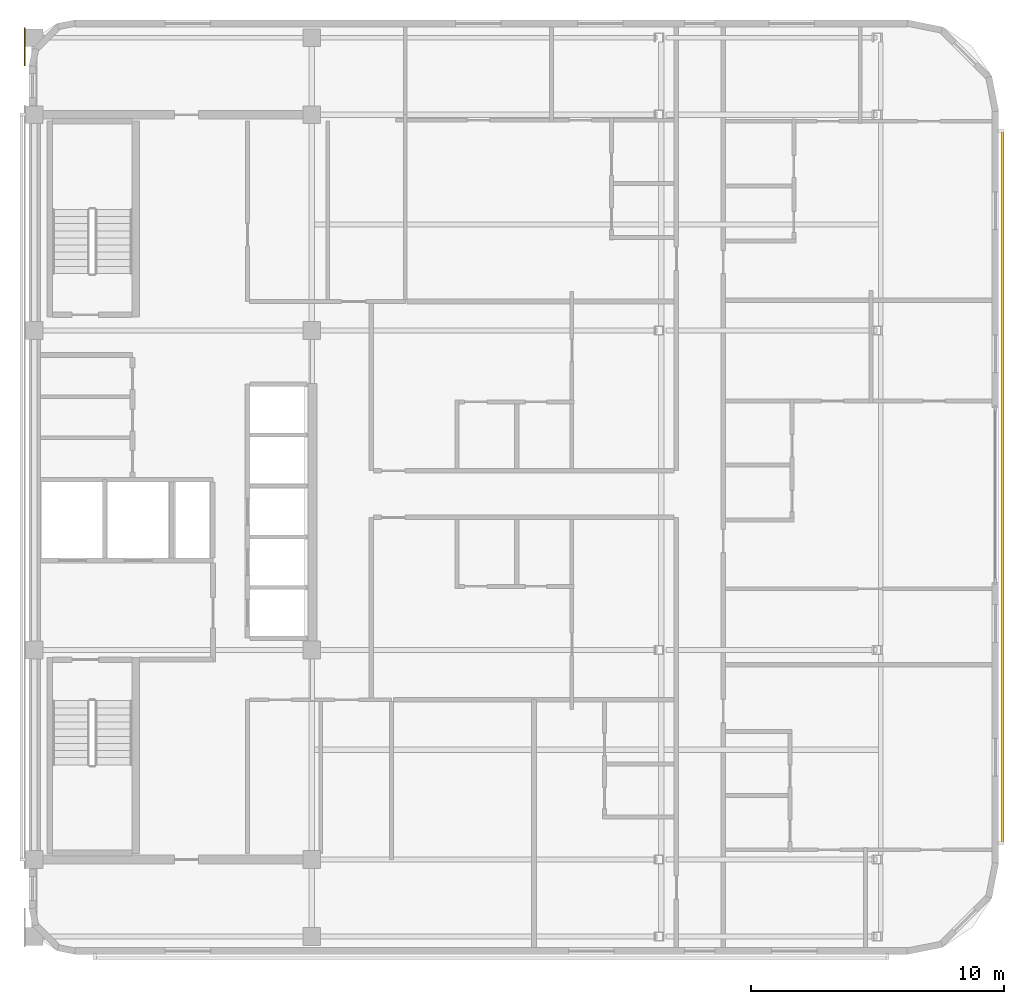
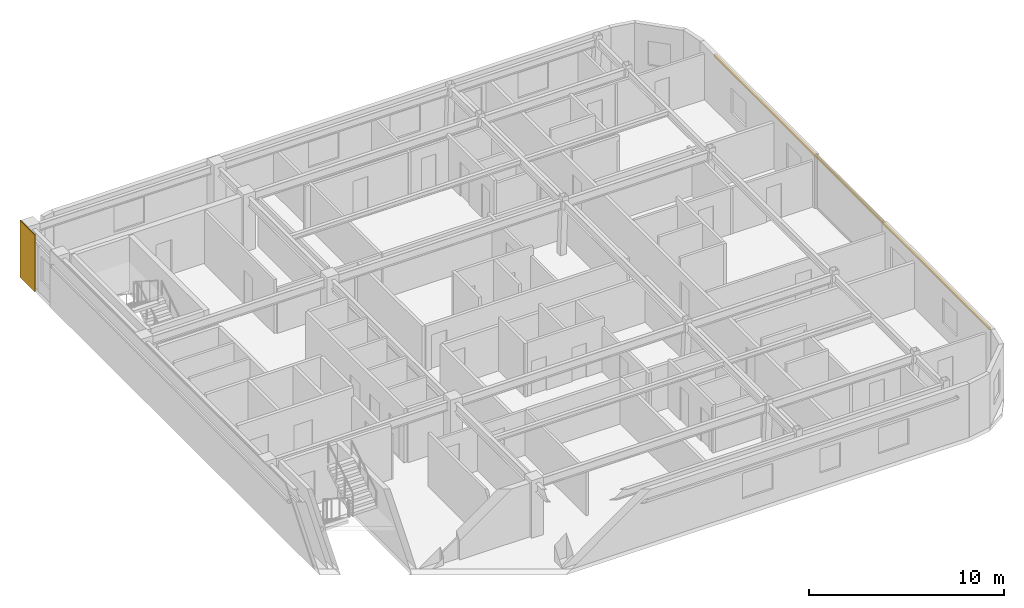
# One storey, part 10 of 10: 1 covering, 1 shading device.
"""IFC4 building model written with IfcOpenShell, lengths in metres."""

from ifc_helpers import new_model, si_unit, direction, frame, origin, origin_2d, place, context, subcontext, project, spatial, rectangle, extrude, material, layer, layer_set, material_profile, profile_set, type_object, element, save


model = new_model("IFC4")

# Units and contexts
model_context = context("Model", 3, precision=1e-05, world=origin(), true_north=direction((0.0, 1.0)))
body_context = subcontext(model_context, "Body", "Model", "MODEL_VIEW")
ifc_project = project(units=[si_unit("LENGTHUNIT", "METRE"), si_unit("AREAUNIT", "SQUARE_METRE"), si_unit("VOLUMEUNIT", "CUBIC_METRE"), si_unit("PLANEANGLEUNIT", "RADIAN"), si_unit("MASSUNIT", "GRAM", prefix="KILO")], contexts=[model_context])

# Site, building, storey
site_placement = place(None, origin())
site = spatial("IfcSite", under=ifc_project, at=site_placement, CompositionType="ELEMENT")
building_placement = place(site_placement, origin())
building = spatial("IfcBuilding", under=site, at=building_placement, Name="Ochreholt Gables", CompositionType="ELEMENT")
storey_placement = place(building_placement, frame((0.0, 0.0, 256.800048828125)))
storey = spatial("IfcBuildingStorey", under=building, at=storey_placement, Name="L67", CompositionType="ELEMENT", Elevation=256.800048828125)

# Covering
ifc_material_1 = material(Name="Glazed Ochre Terracotta Rainscreen Cladding", Category="masonry")
ifc_layer = layer(ifc_material_1, 0.044921875, Name="Glazed Ochre Terracotta Rainscreen Cladding")
ifc_layer_set = layer_set([ifc_layer], Name="Glazed Ochre Terracotta Rainscreen Cladding")
covering_type = type_object("IfcCoveringType", Name="COV-CLAD-TC", PredefinedType="CLADDING", material=ifc_layer_set)
covering_placement = place(storey_placement, frame((23.827880859375, 41.43994140625, 0.010009765625), z_axis=(0.0, 0.0, 1.0), x_axis=(0.0, 1.0, 0.0)))
element("IfcCovering", 1, at=covering_placement, inside=storey, type_object=covering_type, Name="L67 North-West Pier Terracotta Cladding", PredefinedType="CLADDING", context=body_context, shape_type="SweptSolid", body=[
    extrude(rectangle(XDim=1.52001953125, YDim=0.044921875, at=origin_2d()), origin(), (0.0, 0.0, 1.0), 3.580078125),
])

# Shading device
ifc_material_2 = material(Name="Warm Ochre Glazed Terracotta Baguette", Category="masonry")
ifc_material_profile = material_profile(ifc_material_2, rectangle(XDim=0.110107421875, YDim=0.14990234375, at=origin_2d()), Name="TCBAG110X150")
ifc_profile_set = profile_set([ifc_material_profile], Name="Warm Ochre Glazed Terracotta Baguette")
shading_device_type = type_object("IfcShadingDeviceType", Name="SHD-BAGUETTE", PredefinedType="USERDEFINED", material=ifc_profile_set)
shading_device_placement = place(storey_placement, frame((62.550048828125, 9.89990234375, 2.83984375), z_axis=(0.0, 1.0, 0.0), x_axis=(-1.0, 0.0, 0.0)))
element("IfcShadingDevice", 2, at=shading_device_placement, inside=storey, type_object=shading_device_type, Name="L67 Terracotta Baguette Screen E-1", ObjectType="BAGUETTE", PredefinedType="USERDEFINED", context=body_context, shape_type="SweptSolid", body=[
    extrude(rectangle(XDim=0.110107421875, YDim=0.14990234375, at=origin_2d()), origin(), (0.0, 0.0, 1.0), 28.2001953125),
])

save(model, "model.ifc")
